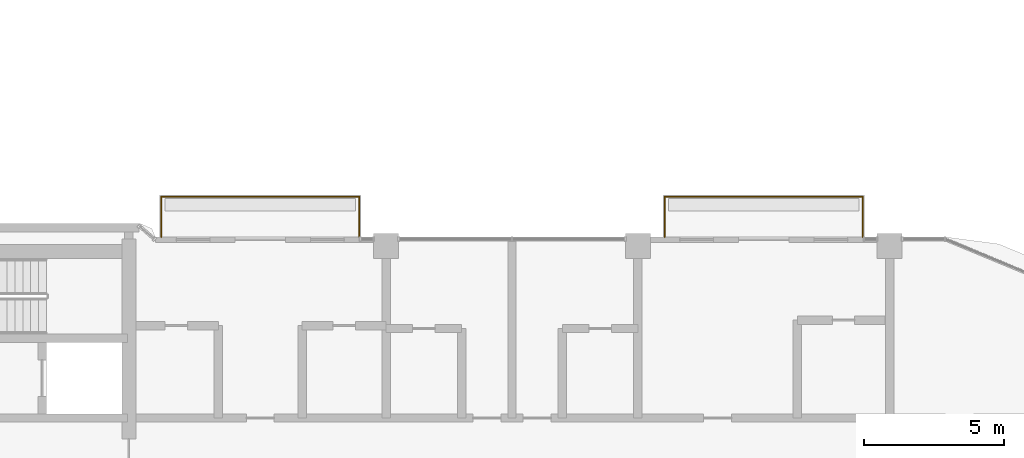
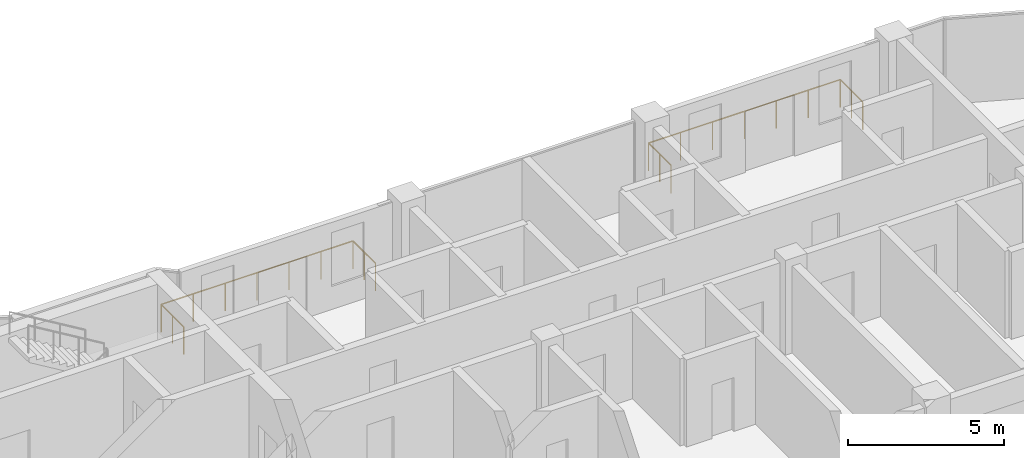
# One storey, part 19 of 19: 2 railings.
"""IFC4 building model written with IfcOpenShell, lengths in metres."""

from ifc_helpers import new_model, si_unit, direction, frame, origin, origin_2d, place, context, subcontext, project, spatial, circle, extrude, material, type_object, element, save


model = new_model("IFC4")

# Units and contexts
model_context = context("Model", 3, precision=1e-05, world=origin(), true_north=direction((0.0, 1.0)))
body_context = subcontext(model_context, "Body", "Model", "MODEL_VIEW")
ifc_project = project(units=[si_unit("LENGTHUNIT", "METRE"), si_unit("AREAUNIT", "SQUARE_METRE"), si_unit("VOLUMEUNIT", "CUBIC_METRE"), si_unit("PLANEANGLEUNIT", "RADIAN"), si_unit("MASSUNIT", "GRAM", prefix="KILO")], contexts=[model_context])

# Site, building, storey
site_placement = place(None, origin())
site = spatial("IfcSite", under=ifc_project, at=site_placement, CompositionType="ELEMENT")
building_placement = place(site_placement, origin())
building = spatial("IfcBuilding", under=site, at=building_placement, Name="Ogive Portal Towers", CompositionType="ELEMENT")
storey_placement = place(building_placement, frame((0.0, 0.0, 218.0)))
storey = spatial("IfcBuildingStorey", under=building, at=storey_placement, Name="L54", CompositionType="ELEMENT", Elevation=218.0)

# Railings
ifc_material = material(Name="Steel S355", Category="steel")
railing_type = type_object("IfcRailingType", Name="BALUSTRADE GLASS 1100", PredefinedType="BALUSTRADE", material=ifc_material)
railing_1_placement = place(storey_placement, frame((59.4599609375, 39.820068359375, 0.0)))
element("IfcRailing", 1, at=railing_1_placement, inside=storey, type_object=railing_type, Name="A:L54:bal:T1:rail", PredefinedType="BALUSTRADE", context=body_context, shape_type="SweptSolid", body=[
    extrude(circle(Radius=0.02392578125, at=origin_2d()), frame((0.0, 0.0, 1.076171875), z_axis=(0.0, 1.0, 0.0), x_axis=(-1.0, 0.0, 0.0)), (0.0, 0.0, 1.0), 1.43994140625),
    extrude(circle(Radius=0.02392578125, at=origin_2d()), frame((0.0, 1.43994140625, 1.076171875), z_axis=(1.0, 0.0, 0.0), x_axis=(0.0, 1.0, 0.0)), (0.0, 0.0, 1.0), 7.080078125),
    extrude(circle(Radius=0.02392578125, at=origin_2d()), frame((7.080078125, 1.43994140625, 1.076171875), z_axis=(0.0, -1.0, 0.0), x_axis=(1.0, 0.0, 0.0)), (0.0, 0.0, 1.0), 1.43994140625),
    extrude(circle(Radius=0.02099609375, at=origin_2d()), origin(), (0.0, 0.0, 1.0), 1.052001953125),
    extrude(circle(Radius=0.02099609375, at=origin_2d()), frame((0.0, 0.719970703125, 0.0)), (0.0, 0.0, 1.0), 1.052001953125),
    extrude(circle(Radius=0.02099609375, at=origin_2d()), frame((0.0, 1.43994140625, 0.0)), (0.0, 0.0, 1.0), 1.052001953125),
    extrude(circle(Radius=0.02099609375, at=origin_2d()), frame((1.179931640625, 1.43994140625, 0.0)), (0.0, 0.0, 1.0), 1.052001953125),
    extrude(circle(Radius=0.02099609375, at=origin_2d()), frame((2.360107421875, 1.43994140625, 0.0)), (0.0, 0.0, 1.0), 1.052001953125),
    extrude(circle(Radius=0.02099609375, at=origin_2d()), frame((3.5400390625, 1.43994140625, 0.0)), (0.0, 0.0, 1.0), 1.052001953125),
    extrude(circle(Radius=0.02099609375, at=origin_2d()), frame((4.719970703125, 1.43994140625, 0.0)), (0.0, 0.0, 1.0), 1.052001953125),
    extrude(circle(Radius=0.02099609375, at=origin_2d()), frame((5.900146484375, 1.43994140625, 0.0)), (0.0, 0.0, 1.0), 1.052001953125),
    extrude(circle(Radius=0.02099609375, at=origin_2d()), frame((7.080078125, 1.43994140625, 0.0)), (0.0, 0.0, 1.0), 1.052001953125),
    extrude(circle(Radius=0.02099609375, at=origin_2d()), frame((7.080078125, 0.719970703125, 0.0)), (0.0, 0.0, 1.0), 1.052001953125),
    extrude(circle(Radius=0.02099609375, at=origin_2d()), frame((7.080078125, 0.0, 0.0)), (0.0, 0.0, 1.0), 1.052001953125),
])
railing_2_placement = place(storey_placement, frame((77.4599609375, 39.820068359375, 0.0)))
element("IfcRailing", 2, at=railing_2_placement, inside=storey, type_object=railing_type, Name="A:L54:bal:T3:rail", PredefinedType="BALUSTRADE", context=body_context, shape_type="SweptSolid", body=[
    extrude(circle(Radius=0.02392578125, at=origin_2d()), frame((0.0, 0.0, 1.076171875), z_axis=(0.0, 1.0, 0.0), x_axis=(-1.0, 0.0, 0.0)), (0.0, 0.0, 1.0), 1.43994140625),
    extrude(circle(Radius=0.02392578125, at=origin_2d()), frame((0.0, 1.43994140625, 1.076171875), z_axis=(1.0, 0.0, 0.0), x_axis=(0.0, 1.0, 0.0)), (0.0, 0.0, 1.0), 7.080078125),
    extrude(circle(Radius=0.02392578125, at=origin_2d()), frame((7.080078125, 1.43994140625, 1.076171875), z_axis=(0.0, -1.0, 0.0), x_axis=(1.0, 0.0, 0.0)), (0.0, 0.0, 1.0), 1.43994140625),
    extrude(circle(Radius=0.02099609375, at=origin_2d()), origin(), (0.0, 0.0, 1.0), 1.052001953125),
    extrude(circle(Radius=0.02099609375, at=origin_2d()), frame((0.0, 0.719970703125, 0.0)), (0.0, 0.0, 1.0), 1.052001953125),
    extrude(circle(Radius=0.02099609375, at=origin_2d()), frame((0.0, 1.43994140625, 0.0)), (0.0, 0.0, 1.0), 1.052001953125),
    extrude(circle(Radius=0.02099609375, at=origin_2d()), frame((1.179931640625, 1.43994140625, 0.0)), (0.0, 0.0, 1.0), 1.052001953125),
    extrude(circle(Radius=0.02099609375, at=origin_2d()), frame((2.360107421875, 1.43994140625, 0.0)), (0.0, 0.0, 1.0), 1.052001953125),
    extrude(circle(Radius=0.02099609375, at=origin_2d()), frame((3.5400390625, 1.43994140625, 0.0)), (0.0, 0.0, 1.0), 1.052001953125),
    extrude(circle(Radius=0.02099609375, at=origin_2d()), frame((4.719970703125, 1.43994140625, 0.0)), (0.0, 0.0, 1.0), 1.052001953125),
    extrude(circle(Radius=0.02099609375, at=origin_2d()), frame((5.900146484375, 1.43994140625, 0.0)), (0.0, 0.0, 1.0), 1.052001953125),
    extrude(circle(Radius=0.02099609375, at=origin_2d()), frame((7.080078125, 1.43994140625, 0.0)), (0.0, 0.0, 1.0), 1.052001953125),
    extrude(circle(Radius=0.02099609375, at=origin_2d()), frame((7.080078125, 0.719970703125, 0.0)), (0.0, 0.0, 1.0), 1.052001953125),
    extrude(circle(Radius=0.02099609375, at=origin_2d()), frame((7.080078125, 0.0, 0.0)), (0.0, 0.0, 1.0), 1.052001953125),
])

save(model, "model.ifc")
